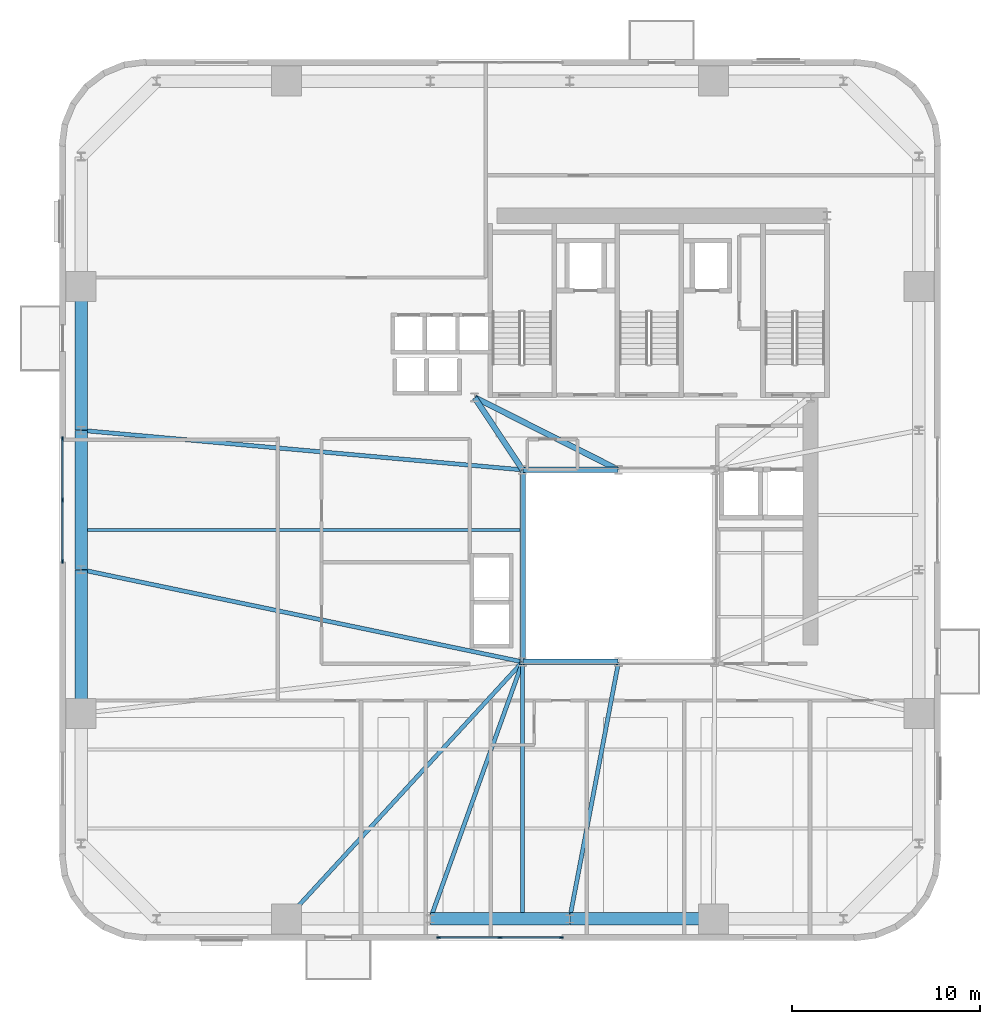
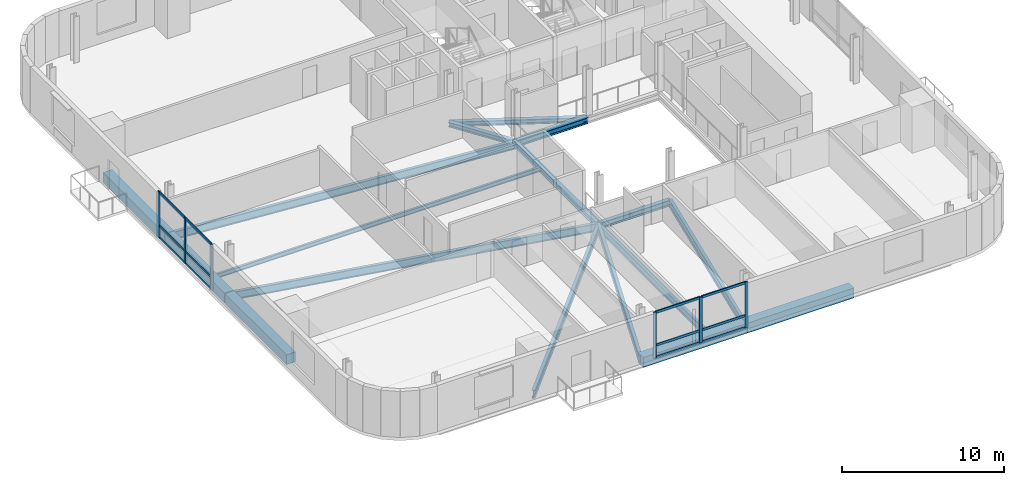
# One storey, part 2 of 14: 18 members, 17 beams, 2 elements without a shape of their own.
"""IFC4 building model written with IfcOpenShell, lengths in metres."""

from ifc_helpers import new_model, si_unit, direction, frame, origin, origin_2d, place, context, subcontext, project, spatial, rectangle, i_section, extrude, source, transform, mapped, material, material_profile, profile_set, type_object, element, aggregate, save


model = new_model("IFC4")

# Units and contexts
model_context = context("Model", 3, precision=1e-05, world=origin(), true_north=direction((0.0, 1.0)))
body_context = subcontext(model_context, "Body", "Model", "MODEL_VIEW")
ifc_project = project(units=[si_unit("LENGTHUNIT", "METRE"), si_unit("AREAUNIT", "SQUARE_METRE"), si_unit("VOLUMEUNIT", "CUBIC_METRE"), si_unit("PLANEANGLEUNIT", "RADIAN"), si_unit("MASSUNIT", "GRAM", prefix="KILO")], contexts=[model_context])

# Site, building, storey
site_placement = place(None, origin())
site = spatial("IfcSite", under=ifc_project, at=site_placement, CompositionType="ELEMENT")
building_placement = place(site_placement, origin())
building = spatial("IfcBuilding", under=site, at=building_placement, Name="Vardaveli Station Tower", CompositionType="ELEMENT")
storey_placement = place(building_placement, frame((0.0, 0.0, 111.300048828125)))
storey = spatial("IfcBuildingStorey", under=building, at=storey_placement, Name="L28", CompositionType="ELEMENT", Elevation=111.300048828125)

# Beams
ifc_material_1 = material(Name="Structural steel S355J2", Category="steel")
ifc_material_profile_1 = material_profile(ifc_material_1, i_section(OverallWidth=0.300048828125, OverallDepth=0.449951171875, WebThickness=0.013916015625, FlangeThickness=0.02587890625, FilletRadius=0.027099609375, at=origin_2d()), Name="HEB 450")
ifc_profile_set_1 = profile_set([ifc_material_profile_1], Name="Structural steel S355J2")
beam_type_1 = type_object("IfcBeamType", Name="BM-HEB450", PredefinedType="BEAM", material=ifc_profile_set_1)
shared_shape_1 = source(origin(), body_context, "Body", "SweptSolid", [
    extrude(i_section(OverallWidth=0.300048828125, OverallDepth=0.449951171875, WebThickness=0.013916015625, FlangeThickness=0.02587890625, FilletRadius=0.027099609375, at=origin_2d()), origin(), (0.0, 0.0, 1.0), 5.06005859375),
])
for number, where, z_axis, x_axis, name in (
    (1, (31.219970703125, 16.60009765625, -0.465087890625), (1.0, 0.0, 0.0), (0.0, 1.0, 0.0), "ABM-L28-01"),
    (2, (36.280029296875, 26.800048828125, -0.465087890625), (-1.0, 0.0, 0.0), (0.0, -1.0, 0.0), "ABM-L28-05"),
):
    element("IfcBeam", number, at=place(storey_placement, frame(where, z_axis=z_axis, x_axis=x_axis)), inside=storey, type_object=beam_type_1, Name=name, PredefinedType="BEAM", context=body_context, shape_type="MappedRepresentation", body=[
        mapped(shared_shape_1, transform((0.0, 0.0, 0.0), scale=1.0)),
    ])
shared_shape_2 = source(origin(), body_context, "Body", "SweptSolid", [
    extrude(i_section(OverallWidth=0.300048828125, OverallDepth=0.449951171875, WebThickness=0.013916015625, FlangeThickness=0.02587890625, FilletRadius=0.027099609375, at=origin_2d()), origin(), (0.0, 0.0, 1.0), 10.159912109375),
])
beam_1_placement = place(storey_placement, frame((31.199951171875, 26.780029296875, -0.465087890625), z_axis=(0.0, -1.0, 0.0), x_axis=(1.0, 0.0, 0.0)))
element("IfcBeam", 3, at=beam_1_placement, inside=storey, type_object=beam_type_1, Name="ABM-L28-06", PredefinedType="BEAM", context=body_context, shape_type="MappedRepresentation", body=[
    mapped(shared_shape_2, transform((0.0, 0.0, 0.0), scale=1.0)),
])
ifc_material_profile_2 = material_profile(ifc_material_1, i_section(OverallWidth=0.300048828125, OverallDepth=0.360107421875, WebThickness=0.012451171875, FlangeThickness=0.0224609375, FilletRadius=0.027099609375, at=origin_2d()), Name="HEB 360")
ifc_profile_set_2 = profile_set([ifc_material_profile_2], Name="Structural steel S355J2")
beam_type_2 = type_object("IfcBeamType", Name="BM-HEB360", PredefinedType="BEAM", material=ifc_profile_set_2)
shared_shape_3 = source(origin(), body_context, "Body", "SweptSolid", [
    extrude(i_section(OverallWidth=0.300048828125, OverallDepth=0.360107421875, WebThickness=0.012451171875, FlangeThickness=0.0224609375, FilletRadius=0.027099609375, at=origin_2d()), origin(), (0.0, 0.0, 1.0), 4.577880859375),
])
beam_2_placement = place(storey_placement, frame((31.18896484375, 26.816650390625, -0.420166015625), z_axis=(-0.55218702139, 0.833720272879, 0.0), x_axis=(-0.833720272879, -0.55218702139, 0.0)))
element("IfcBeam", 4, at=beam_2_placement, inside=storey, type_object=beam_type_2, Name="CBM-L28-01", PredefinedType="BEAM", context=body_context, shape_type="MappedRepresentation", body=[
    mapped(shared_shape_3, transform((0.0, 0.0, 0.0), scale=1.0)),
])
shared_shape_4 = source(origin(), body_context, "Body", "SweptSolid", [
    extrude(i_section(OverallWidth=0.300048828125, OverallDepth=0.360107421875, WebThickness=0.012451171875, FlangeThickness=0.0224609375, FilletRadius=0.027099609375, at=origin_2d()), origin(), (0.0, 0.0, 1.0), 8.524169921875),
])
beam_3_placement = place(storey_placement, frame((28.66796875, 30.64111328125, -0.420166015625), z_axis=(0.893255584708, -0.449549174605, 0.0), x_axis=(0.449549174605, 0.893255584708, 0.0)))
element("IfcBeam", 5, at=beam_3_placement, inside=storey, type_object=beam_type_2, Name="CBM-L28-03", PredefinedType="BEAM", context=body_context, shape_type="MappedRepresentation", body=[
    mapped(shared_shape_4, transform((0.0, 0.0, 0.0), scale=1.0)),
])
ifc_material_2 = material(Name="Precast concrete C45/55", Category="concrete")
ifc_material_profile_3 = material_profile(ifc_material_2, rectangle(XDim=0.64990234375, YDim=0.75, at=origin_2d()), Name="LPB 650x750")
ifc_profile_set_3 = profile_set([ifc_material_profile_3], Name="Precast concrete C45/55")
beam_type_3 = type_object("IfcBeamType", Name="BM-LPB-750", PredefinedType="BEAM", material=ifc_profile_set_3)
shared_shape_5 = source(origin(), body_context, "Body", "SweptSolid", [
    extrude(rectangle(XDim=0.64990234375, YDim=0.75, at=origin_2d()), origin(), (0.0, 0.0, 1.0), 7.60009765625),
])
for number, where, z_axis, x_axis, name in (
    (6, (33.719970703125, 2.949951171875, -0.614990234375), (1.0, 0.0, 0.0), (0.0, 1.0, 0.0), "RBM-L28-03"),
    (7, (7.75, 36.52001953125, -0.614990234375), (0.0, -1.0, 0.0), (1.0, 0.0, 0.0), "RBM-L28-19"),
    (8, (7.75, 21.47998046875, -0.614990234375), (0.0, -1.0, 0.0), (1.0, 0.0, 0.0), "RBM-L28-21"),
):
    element("IfcBeam", number, at=place(storey_placement, frame(where, z_axis=z_axis, x_axis=x_axis)), inside=storey, type_object=beam_type_3, Name=name, PredefinedType="BEAM", context=body_context, shape_type="MappedRepresentation", body=[
        mapped(shared_shape_5, transform((0.0, 0.0, 0.0), scale=1.0)),
    ])
shared_shape_6 = source(origin(), body_context, "Body", "SweptSolid", [
    extrude(rectangle(XDim=0.64990234375, YDim=0.75, at=origin_2d()), origin(), (0.0, 0.0, 1.0), 7.35986328125),
])
for number, where, z_axis, x_axis, name in (
    (9, (26.320068359375, 2.949951171875, -0.614990234375), (1.0, 0.0, 0.0), (0.0, 1.0, 0.0), "RBM-L28-02"),
    (10, (7.75, 28.8798828125, -0.614990234375), (0.0, -1.0, 0.0), (1.0, 0.0, 0.0), "RBM-L28-20"),
):
    element("IfcBeam", number, at=place(storey_placement, frame(where, z_axis=z_axis, x_axis=x_axis)), inside=storey, type_object=beam_type_3, Name=name, PredefinedType="BEAM", context=body_context, shape_type="MappedRepresentation", body=[
        mapped(shared_shape_6, transform((0.0, 0.0, 0.0), scale=1.0)),
    ])
ifc_material_profile_4 = material_profile(ifc_material_1, i_section(OverallWidth=0.2099609375, OverallDepth=0.550048828125, WebThickness=0.010986328125, FlangeThickness=0.01708984375, FilletRadius=0.02392578125, at=origin_2d()), Name="IPE 550")
ifc_profile_set_4 = profile_set([ifc_material_profile_4], Name="Structural steel S355J2")
beam_type_4 = type_object("IfcBeamType", Name="BM-IPE550", PredefinedType="BEAM", material=ifc_profile_set_4)
shared_shape_7 = source(origin(), body_context, "Body", "SweptSolid", [
    extrude(i_section(OverallWidth=0.2099609375, OverallDepth=0.550048828125, WebThickness=0.010986328125, FlangeThickness=0.01708984375, FilletRadius=0.02392578125, at=origin_2d()), origin(), (0.0, 0.0, 1.0), 13.469970703125),
])
beam_4_placement = place(storey_placement, frame((31.199951171875, 2.989990234375, -0.51513671875), z_axis=(0.0, 1.0, 0.0), x_axis=(-1.0, 0.0, 0.0)))
element("IfcBeam", 11, at=beam_4_placement, inside=storey, type_object=beam_type_4, Name="NSM-L28-S1", PredefinedType="BEAM", context=body_context, shape_type="MappedRepresentation", body=[
    mapped(shared_shape_7, transform((0.0, 0.0, 0.0), scale=1.0)),
])
ifc_material_profile_5 = material_profile(ifc_material_1, i_section(OverallWidth=0.159912109375, OverallDepth=0.330078125, WebThickness=0.007568359375, FlangeThickness=0.011474609375, FilletRadius=0.01806640625, at=origin_2d()), Name="IPE 330")
ifc_profile_set_5 = profile_set([ifc_material_profile_5], Name="Structural steel S355J2")
beam_type_5 = type_object("IfcBeamType", Name="BM-IPE330", PredefinedType="JOIST", material=ifc_profile_set_5)
shared_shape_8 = source(origin(), body_context, "Body", "SweptSolid", [
    extrude(i_section(OverallWidth=0.159912109375, OverallDepth=0.330078125, WebThickness=0.007568359375, FlangeThickness=0.011474609375, FilletRadius=0.01806640625, at=origin_2d()), origin(), (0.0, 0.0, 1.0), 23.2978515625),
])
beam_5_placement = place(storey_placement, frame((7.7900390625, 23.60009765625, -0.405029296875), z_axis=(1.0, 0.0, 0.0), x_axis=(0.0, 1.0, 0.0)))
element("IfcBeam", 12, at=beam_5_placement, inside=storey, type_object=beam_type_5, Name="SJ-L28-W06", PredefinedType="JOIST", context=body_context, shape_type="MappedRepresentation", body=[
    mapped(shared_shape_8, transform((0.0, 0.0, 0.0), scale=1.0)),
])
ifc_material_profile_6 = material_profile(ifc_material_1, i_section(OverallWidth=0.219970703125, OverallDepth=0.60009765625, WebThickness=0.011962890625, FlangeThickness=0.01904296875, FilletRadius=0.02392578125, at=origin_2d()), Name="IPE 600")
ifc_profile_set_6 = profile_set([ifc_material_profile_6], Name="Structural steel S355J2")
beam_type_6 = type_object("IfcBeamType", Name="BM-IPE600", PredefinedType="BEAM", material=ifc_profile_set_6)
shared_shape_9 = source(origin(), body_context, "Body", "SweptSolid", [
    extrude(i_section(OverallWidth=0.219970703125, OverallDepth=0.60009765625, WebThickness=0.011962890625, FlangeThickness=0.01904296875, FilletRadius=0.02392578125, at=origin_2d()), origin(), (0.0, 0.0, 1.0), 18.49560546875),
])
beam_6_placement = place(storey_placement, frame((18.673583984375, 2.96484375, -0.5400390625), z_axis=(0.676535341891, 0.736410165039, 0.0), x_axis=(-0.736410165039, 0.676535341891, 0.0)))
element("IfcBeam", 13, at=beam_6_placement, inside=storey, type_object=beam_type_6, Name="GBM-L28-01", PredefinedType="BEAM", context=body_context, shape_type="MappedRepresentation", body=[
    mapped(shared_shape_9, transform((0.0, 0.0, 0.0), scale=1.0)),
])
shared_shape_10 = source(origin(), body_context, "Body", "SweptSolid", [
    extrude(i_section(OverallWidth=0.219970703125, OverallDepth=0.60009765625, WebThickness=0.011962890625, FlangeThickness=0.01904296875, FilletRadius=0.02392578125, at=origin_2d()), origin(), (0.0, 0.0, 1.0), 14.462890625),
])
beam_7_placement = place(storey_placement, frame((26.306640625, 2.96875, -0.5400390625), z_axis=(0.337880090533, 0.941189165057, 0.0), x_axis=(-0.941189165057, 0.337880090533, 0.0)))
element("IfcBeam", 14, at=beam_7_placement, inside=storey, type_object=beam_type_6, Name="GBM-L28-02", PredefinedType="BEAM", context=body_context, shape_type="MappedRepresentation", body=[
    mapped(shared_shape_10, transform((0.0, 0.0, 0.0), scale=1.0)),
])
shared_shape_11 = source(origin(), body_context, "Body", "SweptSolid", [
    extrude(i_section(OverallWidth=0.219970703125, OverallDepth=0.60009765625, WebThickness=0.011962890625, FlangeThickness=0.01904296875, FilletRadius=0.02392578125, at=origin_2d()), origin(), (0.0, 0.0, 1.0), 13.855224609375),
])
beam_8_placement = place(storey_placement, frame((33.703857421875, 2.9697265625, -0.5400390625), z_axis=(0.187097533125, 0.982341342456, 0.0), x_axis=(-0.982341342456, 0.187097533125, 0.0)))
element("IfcBeam", 15, at=beam_8_placement, inside=storey, type_object=beam_type_6, Name="GBM-L28-03", PredefinedType="BEAM", context=body_context, shape_type="MappedRepresentation", body=[
    mapped(shared_shape_11, transform((0.0, 0.0, 0.0), scale=1.0)),
])
shared_shape_12 = source(origin(), body_context, "Body", "SweptSolid", [
    extrude(i_section(OverallWidth=0.219970703125, OverallDepth=0.60009765625, WebThickness=0.011962890625, FlangeThickness=0.01904296875, FilletRadius=0.02392578125, at=origin_2d()), origin(), (0.0, 0.0, 1.0), 23.50390625),
])
beam_9_placement = place(storey_placement, frame((7.77001953125, 28.898193359375, -0.5400390625), z_axis=(0.996014142198, -0.08919545135, 0.0), x_axis=(0.08919545135, 0.996014142198, 0.0)))
element("IfcBeam", 16, at=beam_9_placement, inside=storey, type_object=beam_type_6, Name="GBM-L28-08", PredefinedType="BEAM", context=body_context, shape_type="MappedRepresentation", body=[
    mapped(shared_shape_12, transform((0.0, 0.0, 0.0), scale=1.0)),
])
shared_shape_13 = source(origin(), body_context, "Body", "SweptSolid", [
    extrude(i_section(OverallWidth=0.219970703125, OverallDepth=0.60009765625, WebThickness=0.011962890625, FlangeThickness=0.01904296875, FilletRadius=0.02392578125, at=origin_2d()), origin(), (0.0, 0.0, 1.0), 23.91650390625),
])
beam_10_placement = place(storey_placement, frame((7.76953125, 21.495849609375, -0.5400390625), z_axis=(0.978858547354, -0.204538368703, 0.0), x_axis=(0.204538368703, 0.978858547354, 0.0)))
element("IfcBeam", 17, at=beam_10_placement, inside=storey, type_object=beam_type_6, Name="GBM-L28-09", PredefinedType="BEAM", context=body_context, shape_type="MappedRepresentation", body=[
    mapped(shared_shape_13, transform((0.0, 0.0, 0.0), scale=1.0)),
])

# Curtain wall, members
ifc_material_3 = material(Name="Travertine stone and solar-control glass", Category="masonry")
curtain_wall_type = type_object("IfcCurtainWallType", Name="CW-SYS-2", PredefinedType="NOTDEFINED", material=ifc_material_3)
curtain_wall_1_placement = place(storey_placement, origin())
curtain_wall_1 = element("IfcCurtainWall", 18, at=curtain_wall_1_placement, inside=storey, type_object=curtain_wall_type, Name="CW-L28-S", PredefinedType="NOTDEFINED")
ifc_material_4 = material(Name="Anodised aluminium alloy 6063-T6", Category="aluminium")
ifc_material_profile_7 = material_profile(ifc_material_4, rectangle(XDim=0.0849609375, YDim=0.179931640625, at=origin_2d()), Name="CWT 85x180")
ifc_profile_set_7 = profile_set([ifc_material_profile_7], Name="Anodised aluminium alloy 6063-T6")
member_type_1 = type_object("IfcMemberType", Name="CW-SYS-2-TRAN", PredefinedType="NOTDEFINED", material=ifc_profile_set_7)
shared_shape_14 = source(origin(), body_context, "Body", "SweptSolid", [
    extrude(rectangle(XDim=0.0849609375, YDim=0.179931640625, at=origin_2d()), origin(), (0.0, 0.0, 1.0), 3.172607421875),
])
member_1_placement = place(storey_placement, frame((26.784912109375, 1.9599609375, 0.04248046875), z_axis=(1.0, 0.0, 0.0), x_axis=(0.0, 1.0, 0.0)))
member_1 = element("IfcMember", 19, at=member_1_placement, type_object=member_type_1, Name="CW-2 transom 1.1", ObjectType="TRANSOM", PredefinedType="USERDEFINED", context=body_context, shape_type="MappedRepresentation", body=[
    mapped(shared_shape_14, transform((0.0, 0.0, 0.0), scale=1.0)),
])
member_2_placement = place(storey_placement, frame((26.784912109375, 1.9599609375, 0.949951171875), z_axis=(1.0, 0.0, 0.0), x_axis=(0.0, 1.0, 0.0)))
member_2 = element("IfcMember", 20, at=member_2_placement, type_object=member_type_1, Name="CW-2 transom 1.2", ObjectType="TRANSOM", PredefinedType="USERDEFINED", context=body_context, shape_type="MappedRepresentation", body=[
    mapped(shared_shape_14, transform((0.0, 0.0, 0.0), scale=1.0)),
])
member_3_placement = place(storey_placement, frame((26.784912109375, 1.9599609375, 3.41748046875), z_axis=(1.0, 0.0, 0.0), x_axis=(0.0, 1.0, 0.0)))
member_3 = element("IfcMember", 21, at=member_3_placement, type_object=member_type_1, Name="CW-2 transom 1.3", ObjectType="TRANSOM", PredefinedType="USERDEFINED", context=body_context, shape_type="MappedRepresentation", body=[
    mapped(shared_shape_14, transform((0.0, 0.0, 0.0), scale=1.0)),
])
member_4_placement = place(storey_placement, frame((30.04248046875, 1.9599609375, 0.04248046875), z_axis=(1.0, 0.0, 0.0), x_axis=(0.0, 1.0, 0.0)))
member_4 = element("IfcMember", 22, at=member_4_placement, type_object=member_type_1, Name="CW-2 transom 2.1", ObjectType="TRANSOM", PredefinedType="USERDEFINED", context=body_context, shape_type="MappedRepresentation", body=[
    mapped(shared_shape_14, transform((0.0, 0.0, 0.0), scale=1.0)),
])
member_5_placement = place(storey_placement, frame((30.04248046875, 1.9599609375, 0.949951171875), z_axis=(1.0, 0.0, 0.0), x_axis=(0.0, 1.0, 0.0)))
member_5 = element("IfcMember", 23, at=member_5_placement, type_object=member_type_1, Name="CW-2 transom 2.2", ObjectType="TRANSOM", PredefinedType="USERDEFINED", context=body_context, shape_type="MappedRepresentation", body=[
    mapped(shared_shape_14, transform((0.0, 0.0, 0.0), scale=1.0)),
])
member_6_placement = place(storey_placement, frame((30.04248046875, 1.9599609375, 3.41748046875), z_axis=(1.0, 0.0, 0.0), x_axis=(0.0, 1.0, 0.0)))
member_6 = element("IfcMember", 24, at=member_6_placement, type_object=member_type_1, Name="CW-2 transom 2.3", ObjectType="TRANSOM", PredefinedType="USERDEFINED", context=body_context, shape_type="MappedRepresentation", body=[
    mapped(shared_shape_14, transform((0.0, 0.0, 0.0), scale=1.0)),
])

curtain_wall_2_placement = place(storey_placement, origin())
curtain_wall_2 = element("IfcCurtainWall", 25, at=curtain_wall_2_placement, inside=storey, type_object=curtain_wall_type, Name="CW-L28-W", PredefinedType="NOTDEFINED")
member_7_placement = place(storey_placement, frame((6.760009765625, 28.4150390625, 0.04248046875), z_axis=(0.0, -1.0, 0.0), x_axis=(1.0, 0.0, 0.0)))
member_7 = element("IfcMember", 26, at=member_7_placement, type_object=member_type_1, Name="CW-2 transom 1.1", ObjectType="TRANSOM", PredefinedType="USERDEFINED", context=body_context, shape_type="MappedRepresentation", body=[
    mapped(shared_shape_14, transform((0.0, 0.0, 0.0), scale=1.0)),
])
member_8_placement = place(storey_placement, frame((6.760009765625, 28.4150390625, 0.949951171875), z_axis=(0.0, -1.0, 0.0), x_axis=(1.0, 0.0, 0.0)))
member_8 = element("IfcMember", 27, at=member_8_placement, type_object=member_type_1, Name="CW-2 transom 1.2", ObjectType="TRANSOM", PredefinedType="USERDEFINED", context=body_context, shape_type="MappedRepresentation", body=[
    mapped(shared_shape_14, transform((0.0, 0.0, 0.0), scale=1.0)),
])
member_9_placement = place(storey_placement, frame((6.760009765625, 28.4150390625, 3.41748046875), z_axis=(0.0, -1.0, 0.0), x_axis=(1.0, 0.0, 0.0)))
member_9 = element("IfcMember", 28, at=member_9_placement, type_object=member_type_1, Name="CW-2 transom 1.3", ObjectType="TRANSOM", PredefinedType="USERDEFINED", context=body_context, shape_type="MappedRepresentation", body=[
    mapped(shared_shape_14, transform((0.0, 0.0, 0.0), scale=1.0)),
])
shared_shape_15 = source(origin(), body_context, "Body", "SweptSolid", [
    extrude(rectangle(XDim=0.0849609375, YDim=0.179931640625, at=origin_2d()), origin(), (0.0, 0.0, 1.0), 3.17236328125),
])
member_10_placement = place(storey_placement, frame((6.760009765625, 25.157470703125, 0.04248046875), z_axis=(0.0, -1.0, 0.0), x_axis=(1.0, 0.0, 0.0)))
member_10 = element("IfcMember", 29, at=member_10_placement, type_object=member_type_1, Name="CW-2 transom 2.1", ObjectType="TRANSOM", PredefinedType="USERDEFINED", context=body_context, shape_type="MappedRepresentation", body=[
    mapped(shared_shape_15, transform((0.0, 0.0, 0.0), scale=1.0)),
])
member_11_placement = place(storey_placement, frame((6.760009765625, 25.157470703125, 0.949951171875), z_axis=(0.0, -1.0, 0.0), x_axis=(1.0, 0.0, 0.0)))
member_11 = element("IfcMember", 30, at=member_11_placement, type_object=member_type_1, Name="CW-2 transom 2.2", ObjectType="TRANSOM", PredefinedType="USERDEFINED", context=body_context, shape_type="MappedRepresentation", body=[
    mapped(shared_shape_15, transform((0.0, 0.0, 0.0), scale=1.0)),
])
member_12_placement = place(storey_placement, frame((6.760009765625, 25.157470703125, 3.41748046875), z_axis=(0.0, -1.0, 0.0), x_axis=(1.0, 0.0, 0.0)))
member_12 = element("IfcMember", 31, at=member_12_placement, type_object=member_type_1, Name="CW-2 transom 2.3", ObjectType="TRANSOM", PredefinedType="USERDEFINED", context=body_context, shape_type="MappedRepresentation", body=[
    mapped(shared_shape_15, transform((0.0, 0.0, 0.0), scale=1.0)),
])

# Member
ifc_material_profile_8 = material_profile(ifc_material_4, rectangle(XDim=0.0849609375, YDim=0.219970703125, at=origin_2d()), Name="CWM 85x220")
ifc_profile_set_8 = profile_set([ifc_material_profile_8], Name="Anodised aluminium alloy 6063-T6")
member_type_2 = type_object("IfcMemberType", Name="CW-SYS-2-MULL", PredefinedType="MULLION", material=ifc_profile_set_8)
shared_shape_16 = source(origin(), body_context, "Body", "SweptSolid", [
    extrude(rectangle(XDim=0.0849609375, YDim=0.219970703125, at=origin_2d()), origin(), (0.0, 0.0, 1.0), 3.4599609375),
])
member_13_placement = place(storey_placement, frame((26.742431640625, 1.9599609375, 0.0), z_axis=(0.0, 0.0, 1.0), x_axis=(0.0, 1.0, 0.0)))
member_13 = element("IfcMember", 32, at=member_13_placement, type_object=member_type_2, Name="CW-2 mullion 1", PredefinedType="MULLION", context=body_context, shape_type="MappedRepresentation", body=[
    mapped(shared_shape_16, transform((0.0, 0.0, 0.0), scale=1.0)),
])

member_14_placement = place(storey_placement, frame((30.0, 1.9599609375, 0.0), z_axis=(0.0, 0.0, 1.0), x_axis=(0.0, 1.0, 0.0)))
member_14 = element("IfcMember", 33, at=member_14_placement, type_object=member_type_2, Name="CW-2 mullion 2", PredefinedType="MULLION", context=body_context, shape_type="MappedRepresentation", body=[
    mapped(shared_shape_16, transform((0.0, 0.0, 0.0), scale=1.0)),
])

member_15_placement = place(storey_placement, frame((33.257568359375, 1.9599609375, 0.0), z_axis=(0.0, 0.0, 1.0), x_axis=(0.0, 1.0, 0.0)))
member_15 = element("IfcMember", 34, at=member_15_placement, type_object=member_type_2, Name="CW-2 mullion 3", PredefinedType="MULLION", context=body_context, shape_type="MappedRepresentation", body=[
    mapped(shared_shape_16, transform((0.0, 0.0, 0.0), scale=1.0)),
])

aggregate(curtain_wall_1, [member_13, member_14, member_15, member_1, member_2, member_3, member_4, member_5, member_6])

member_16_placement = place(storey_placement, frame((6.760009765625, 28.45751953125, 0.0), z_axis=(0.0, 0.0, 1.0), x_axis=(1.0, 0.0, 0.0)))
member_16 = element("IfcMember", 35, at=member_16_placement, type_object=member_type_2, Name="CW-2 mullion 1", PredefinedType="MULLION", context=body_context, shape_type="MappedRepresentation", body=[
    mapped(shared_shape_16, transform((0.0, 0.0, 0.0), scale=1.0)),
])

member_17_placement = place(storey_placement, frame((6.760009765625, 25.199951171875, 0.0), z_axis=(0.0, 0.0, 1.0), x_axis=(1.0, 0.0, 0.0)))
member_17 = element("IfcMember", 36, at=member_17_placement, type_object=member_type_2, Name="CW-2 mullion 2", PredefinedType="MULLION", context=body_context, shape_type="MappedRepresentation", body=[
    mapped(shared_shape_16, transform((0.0, 0.0, 0.0), scale=1.0)),
])

member_18_placement = place(storey_placement, frame((6.760009765625, 21.9423828125, 0.0), z_axis=(0.0, 0.0, 1.0), x_axis=(1.0, 0.0, 0.0)))
member_18 = element("IfcMember", 37, at=member_18_placement, type_object=member_type_2, Name="CW-2 mullion 3", PredefinedType="MULLION", context=body_context, shape_type="MappedRepresentation", body=[
    mapped(shared_shape_16, transform((0.0, 0.0, 0.0), scale=1.0)),
])

aggregate(curtain_wall_2, [member_16, member_17, member_18, member_7, member_8, member_9, member_10, member_11, member_12])

save(model, "model.ifc")
